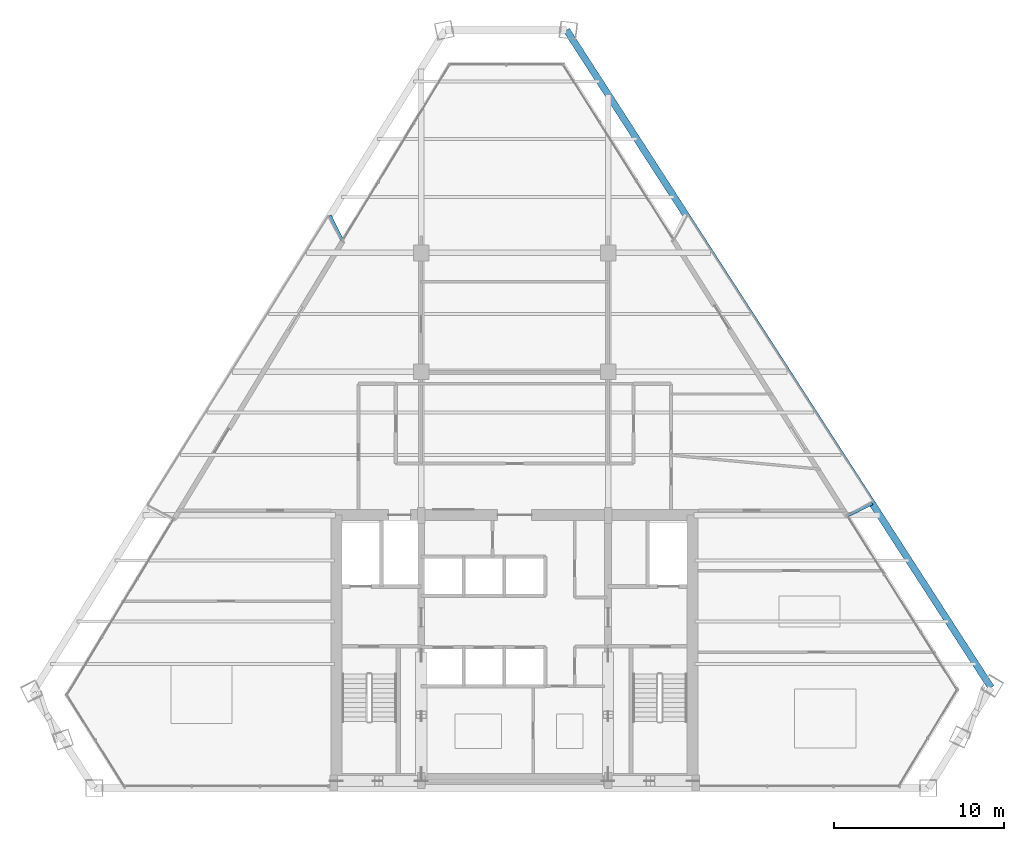
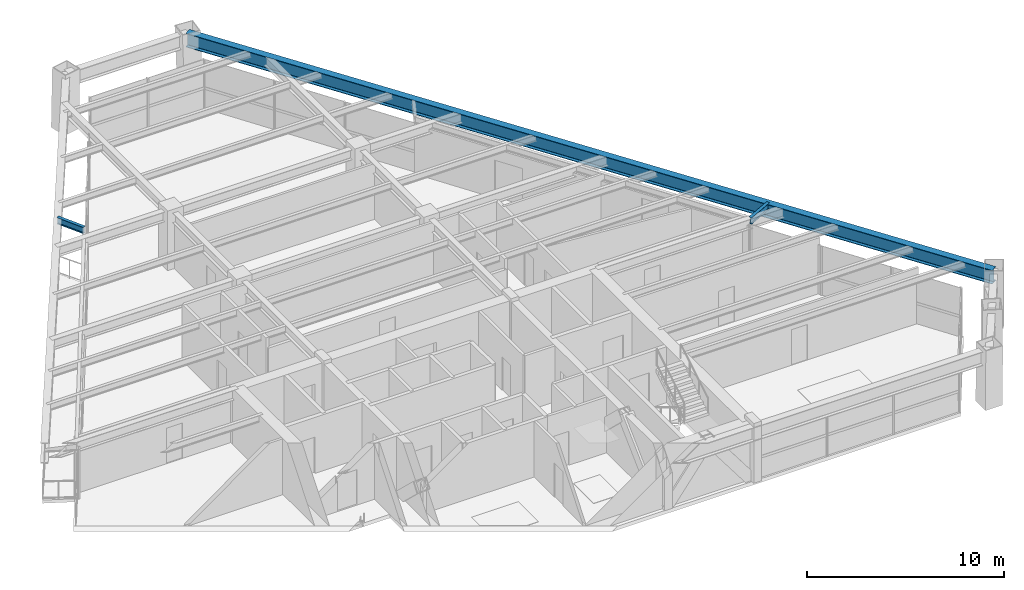
# One storey, part 5 of 12: 3 beams.
"""IFC4 building model written with IfcOpenShell, lengths in metres."""

from ifc_helpers import new_model, si_unit, direction, frame, origin, origin_2d, place, context, subcontext, project, spatial, i_section, extrude, source, transform, mapped, material, material_profile, profile_set, type_object, element, save


model = new_model("IFC4")

# Units and contexts
model_context = context("Model", 3, precision=1e-05, world=origin(), true_north=direction((0.0, 1.0)))
body_context = subcontext(model_context, "Body", "Model", "MODEL_VIEW")
ifc_project = project(units=[si_unit("LENGTHUNIT", "METRE"), si_unit("AREAUNIT", "SQUARE_METRE"), si_unit("VOLUMEUNIT", "CUBIC_METRE"), si_unit("PLANEANGLEUNIT", "RADIAN"), si_unit("MASSUNIT", "GRAM", prefix="KILO")], contexts=[model_context])

# Site, building, storey
site_placement = place(None, origin())
site = spatial("IfcSite", under=ifc_project, at=site_placement, CompositionType="ELEMENT")
building_placement = place(site_placement, origin())
building = spatial("IfcBuilding", under=site, at=building_placement, Name="Varnakhor Terracotta Tower", CompositionType="ELEMENT")
storey_placement = place(building_placement, frame((0.0, 0.0, 208.0)))
storey = spatial("IfcBuildingStorey", under=building, at=storey_placement, Name="L53", CompositionType="ELEMENT", Elevation=208.0)

# Beams
ifc_material = material(Name="Steel S355", Category="steel")
ifc_material_profile_1 = material_profile(ifc_material, i_section(OverallWidth=0.39990234375, OverallDepth=0.85498046875, WebThickness=0.01806640625, FlangeThickness=0.029052734375, FilletRadius=0.01806640625, at=origin_2d()), Name="W33X201")
ifc_profile_set_1 = profile_set([ifc_material_profile_1], Name="Steel S355")
beam_type_1 = type_object("IfcBeamType", Name="BM-W33X201", PredefinedType="BEAM", material=ifc_profile_set_1)
shared_shape_1 = source(origin(), body_context, "Body", "SweptSolid", [
    extrude(i_section(OverallWidth=0.39990234375, OverallDepth=0.85498046875, WebThickness=0.01806640625, FlangeThickness=0.029052734375, FilletRadius=0.01806640625, at=origin_2d()), origin(), (0.0, 0.0, 1.0), 46.073486328125),
])
beam_1_placement = place(storey_placement, frame((28.041259765625, 5.916259765625, 3.04248046875), z_axis=(-0.542421817845, 0.840106285851, 0.0), x_axis=(-0.840106285851, -0.542421817845, 0.0)))
element("IfcBeam", 1, at=beam_1_placement, inside=storey, type_object=beam_type_1, Name="L53 Perimeter Spandrel 4", PredefinedType="BEAM", context=body_context, shape_type="MappedRepresentation", body=[
    mapped(shared_shape_1, transform((0.0, 0.0, 0.0), scale=1.0)),
])
ifc_material_profile_2 = material_profile(ifc_material, i_section(OverallWidth=0.179931640625, OverallDepth=0.39990234375, WebThickness=0.008544921875, FlangeThickness=0.013427734375, FilletRadius=0.01806640625, at=origin_2d()), Name="IPE400")
ifc_profile_set_2 = profile_set([ifc_material_profile_2], Name="Steel S355")
beam_type_2 = type_object("IfcBeamType", Name="JST-IPE400", PredefinedType="JOIST", material=ifc_profile_set_2)
shared_shape_2 = source(origin(), body_context, "Body", "SweptSolid", [
    extrude(i_section(OverallWidth=0.179931640625, OverallDepth=0.39990234375, WebThickness=0.008544921875, FlangeThickness=0.013427734375, FilletRadius=0.01806640625, at=origin_2d()), origin(), (0.0, 0.0, 1.0), 1.613525390625),
])
beam_2_placement = place(storey_placement, frame((-10.156494140625, 32.253662109375, 3.27001953125), z_axis=(-0.448907353838, 0.893578305281, 0.0), x_axis=(-0.893578305281, -0.448907353838, 0.0)))
element("IfcBeam", 2, at=beam_2_placement, inside=storey, type_object=beam_type_2, Name="L54 W Loggia Tie Beam 2", PredefinedType="JOIST", context=body_context, shape_type="MappedRepresentation", body=[
    mapped(shared_shape_2, transform((0.0, 0.0, 0.0), scale=1.0)),
])
shared_shape_3 = source(origin(), body_context, "Body", "SweptSolid", [
    extrude(i_section(OverallWidth=0.179931640625, OverallDepth=0.39990234375, WebThickness=0.008544921875, FlangeThickness=0.013427734375, FilletRadius=0.01806640625, at=origin_2d()), origin(), (0.0, 0.0, 1.0), 1.63232421875),
])
beam_3_placement = place(storey_placement, frame((19.577392578125, 16.037109375, 3.27001953125), z_axis=(0.898341076095, 0.439298658091, 0.0), x_axis=(-0.439298658091, 0.898341076095, 0.0)))
element("IfcBeam", 3, at=beam_3_placement, inside=storey, type_object=beam_type_2, Name="L54 E Loggia Tie Beam 2", PredefinedType="JOIST", context=body_context, shape_type="MappedRepresentation", body=[
    mapped(shared_shape_3, transform((0.0, 0.0, 0.0), scale=1.0)),
])

save(model, "model.ifc")
